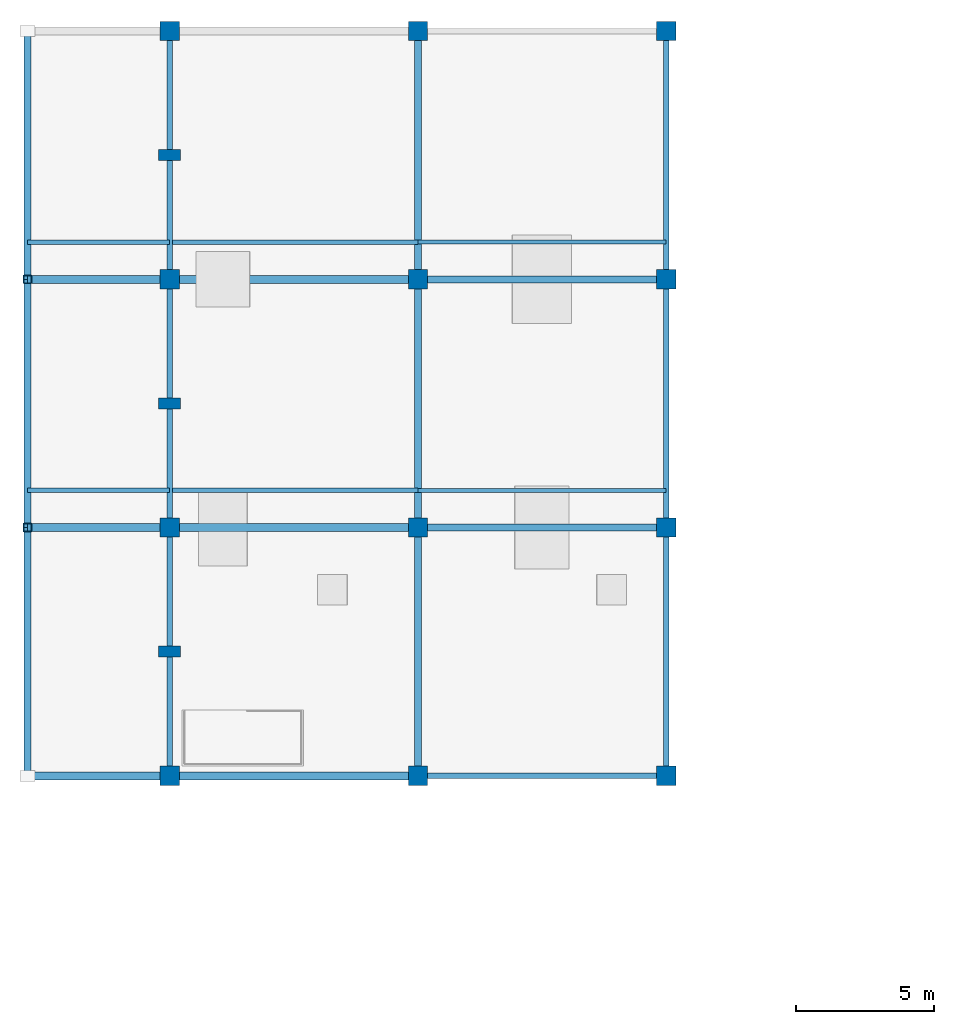
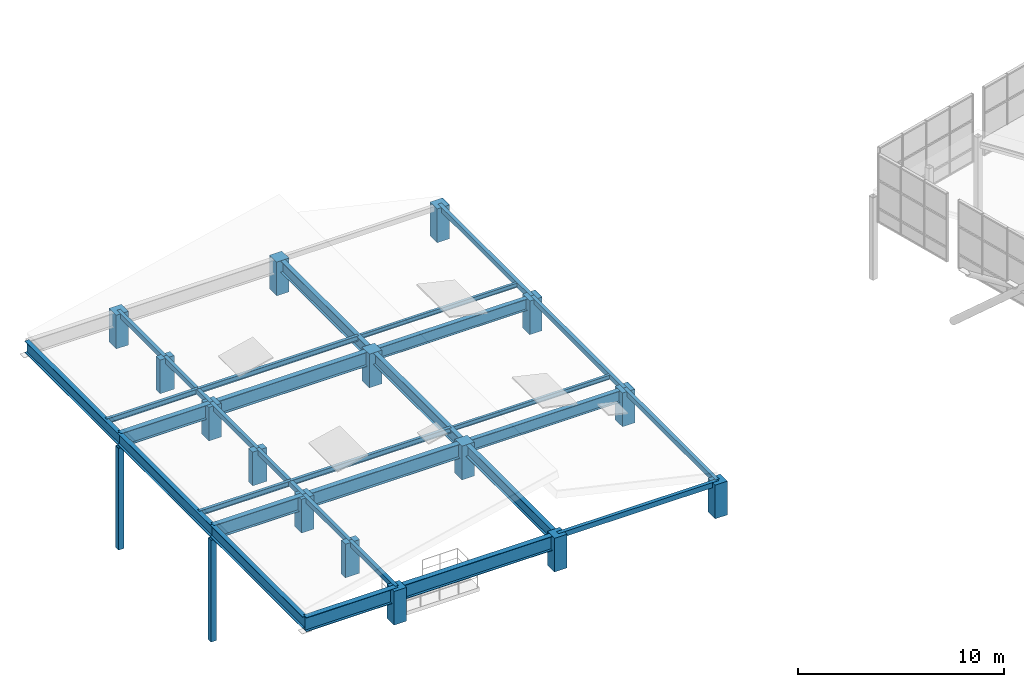
# One storey, part 1 of 28: 24 beams, 15 columns, 8 members.
"""IFC4 building model written with IfcOpenShell, lengths in metres."""

from ifc_helpers import new_model, si_unit, direction, frame, origin, origin_2d, place, context, subcontext, project, spatial, rectangle, hollow_rectangle, i_section, extrude, material, material_profile, profile_set, type_object, element, save


model = new_model("IFC4")

# Units and contexts
model_context = context("Model", 3, precision=1e-05, world=origin(), true_north=direction((0.0, 1.0)))
body_context = subcontext(model_context, "Body", "Model", "MODEL_VIEW")
ifc_project = project(units=[si_unit("LENGTHUNIT", "METRE"), si_unit("AREAUNIT", "SQUARE_METRE"), si_unit("VOLUMEUNIT", "CUBIC_METRE"), si_unit("PLANEANGLEUNIT", "RADIAN"), si_unit("MASSUNIT", "GRAM", prefix="KILO")], contexts=[model_context])

# Site, building, storey
site_placement = place(None, origin())
site = spatial("IfcSite", under=ifc_project, at=site_placement, CompositionType="ELEMENT")
building_placement = place(site_placement, origin())
building = spatial("IfcBuilding", under=site, at=building_placement, Name="Ventoquebrada Cableway Terminal", CompositionType="ELEMENT")
storey_placement = place(building_placement, frame((0.0, 0.0, 23.39990234375)))
storey = spatial("IfcBuildingStorey", under=building, at=storey_placement, Name="RF", CompositionType="ELEMENT", Elevation=23.39990234375)

# Columns
ifc_material_1 = material(Name="Concrete C40/50", Category="concrete")
ifc_material_profile_1 = material_profile(ifc_material_1, rectangle(XDim=0.699951171875, YDim=0.699951171875, at=origin_2d()), Name="RC-COL-700X700")
ifc_profile_set_1 = profile_set([ifc_material_profile_1], Name="Concrete C40/50")
column_type_1 = type_object("IfcColumnType", Name="COL-RC04", PredefinedType="COLUMN", material=ifc_profile_set_1)
for number, where, z_axis, x_axis, name in (
    (1, (8.199951171875, 77.0, 0.0), (0.0, 0.0, 1.0), (1.0, 0.0, 0.0), "Structural column FC-0187"),
    (2, (8.199951171875, 86.0, 0.0), (0.0, 0.0, 1.0), (1.0, 0.0, 0.0), "Structural column FC-0194"),
    (3, (8.199951171875, 95.0, 0.0), (0.0, 0.0, 1.0), (1.0, 0.0, 0.0), "Structural column FC-0201"),
    (4, (8.199951171875, 104.0, 0.0), (0.0, 0.0, 1.0), (1.0, 0.0, 0.0), "Structural column FC-0208"),
    (5, (17.199951171875, 77.0, 0.0), (0.0, 0.0, 1.0), (1.0, 0.0, 0.0), "Structural column FC-0227"),
    (6, (17.199951171875, 86.0, 0.0), (0.0, 0.0, 1.0), (1.0, 0.0, 0.0), "Structural column FC-0234"),
    (7, (17.199951171875, 95.0, 0.0), (0.0, 0.0, 1.0), (1.0, 0.0, 0.0), "Structural column FC-0241"),
    (8, (17.199951171875, 104.0, 0.0), (0.0, 0.0, 1.0), (1.0, 0.0, 0.0), "Structural column FC-0248"),
    (9, (26.199951171875, 77.0, 0.0), (0.0, 0.0, 1.0), (1.0, 0.0, 0.0), "Structural column FC-0267"),
    (10, (26.199951171875, 86.0, 0.0), (0.0, 0.0, 1.0), (1.0, 0.0, 0.0), "Structural column FC-0274"),
    (11, (26.199951171875, 95.0, 0.0), (0.0, 0.0, 1.0), (1.0, 0.0, 0.0), "Structural column FC-0281"),
    (12, (26.199951171875, 104.0, 0.0), (0.0, 0.0, 1.0), (1.0, 0.0, 0.0), "Structural column FC-0288"),
):
    element("IfcColumn", number, at=place(storey_placement, frame(where, z_axis=z_axis, x_axis=x_axis)), inside=storey, type_object=column_type_1, Name=name, PredefinedType="COLUMN", context=body_context, shape_type="SweptSolid", body=[
        extrude(rectangle(XDim=0.699951171875, YDim=0.699951171875, at=origin_2d()), origin(), (0.0, 0.0, 1.0), 2.0),
    ])
ifc_material_profile_2 = material_profile(ifc_material_1, rectangle(XDim=0.39990234375, YDim=0.800048828125, at=origin_2d()), Name="RC-PIL-400X800")
ifc_profile_set_2 = profile_set([ifc_material_profile_2], Name="Concrete C40/50")
column_type_2 = type_object("IfcColumnType", Name="PIL-RC01", PredefinedType="PILASTER", material=ifc_profile_set_2)
for number, where, z_axis, x_axis, name in (
    (13, (8.199951171875, 81.5, 0.0), (0.0, 0.0, 1.0), (0.0, 1.0, 0.0), "Facade pilaster FPL-0360"),
    (14, (8.199951171875, 90.5, 0.0), (0.0, 0.0, 1.0), (0.0, 1.0, 0.0), "Facade pilaster FPL-0367"),
    (15, (8.199951171875, 99.5, 0.0), (0.0, 0.0, 1.0), (0.0, 1.0, 0.0), "Facade pilaster FPL-0374"),
):
    element("IfcColumn", number, at=place(storey_placement, frame(where, z_axis=z_axis, x_axis=x_axis)), inside=storey, type_object=column_type_2, Name=name, PredefinedType="PILASTER", context=body_context, shape_type="SweptSolid", body=[
        extrude(rectangle(XDim=0.39990234375, YDim=0.800048828125, at=origin_2d()), origin(), (0.0, 0.0, 1.0), 2.0),
    ])

# Beams
ifc_material_2 = material(Name="Steel ASTM A992 Grade 50", Category="steel")
ifc_material_profile_3 = material_profile(ifc_material_2, i_section(OverallWidth=0.25390625, OverallDepth=0.68798828125, WebThickness=0.01318359375, FlangeThickness=0.02099609375, at=origin_2d()), Name="W27X102")
ifc_profile_set_3 = profile_set([ifc_material_profile_3], Name="Steel ASTM A992 Grade 50")
beam_type_1 = type_object("IfcBeamType", Name="BM-ST04", PredefinedType="BEAM", material=ifc_profile_set_3)
for number, where, z_axis, x_axis, name in (
    (16, (17.199951171875, 86.0, 1.656005859375), (1.0, 0.0, 0.0), (0.0, 1.0, 0.0), "Roof frame girder FBM-0888"),
    (17, (17.199951171875, 95.0, 1.656005859375), (1.0, 0.0, 0.0), (0.0, 1.0, 0.0), "Roof frame girder FBM-0890"),
    (18, (17.199951171875, 77.0, 1.656005859375), (0.0, 1.0, 0.0), (-1.0, 0.0, 0.0), "Roof frame girder FBM-0899"),
    (19, (17.199951171875, 86.0, 1.656005859375), (0.0, 1.0, 0.0), (-1.0, 0.0, 0.0), "Roof frame girder FBM-0900"),
    (20, (17.199951171875, 95.0, 1.656005859375), (0.0, 1.0, 0.0), (-1.0, 0.0, 0.0), "Roof frame girder FBM-0901"),
    (21, (3.050048828125, 77.0, 1.656005859375), (0.0, 1.0, 0.0), (-1.0, 0.0, 0.0), "Cantilever edge girder CB-023"),
    (22, (3.050048828125, 86.0, 1.656005859375), (0.0, 1.0, 0.0), (-1.0, 0.0, 0.0), "Cantilever edge girder CB-024"),
    (23, (3.050048828125, 95.0, 1.656005859375), (0.0, 1.0, 0.0), (-1.0, 0.0, 0.0), "Cantilever edge girder CB-025"),
):
    element("IfcBeam", number, at=place(storey_placement, frame(where, z_axis=z_axis, x_axis=x_axis)), inside=storey, type_object=beam_type_1, Name=name, PredefinedType="BEAM", context=body_context, shape_type="SweptSolid", body=[
        extrude(i_section(OverallWidth=0.25390625, OverallDepth=0.68798828125, WebThickness=0.01318359375, FlangeThickness=0.02099609375, at=origin_2d()), origin(), (0.0, 0.0, 1.0), 9.0),
    ])
ifc_material_profile_4 = material_profile(ifc_material_2, i_section(OverallWidth=0.2919921875, OverallDepth=0.845947265625, WebThickness=0.015380859375, FlangeThickness=0.0244140625, at=origin_2d()), Name="W33X141")
ifc_profile_set_4 = profile_set([ifc_material_profile_4], Name="Steel ASTM A992 Grade 50")
beam_type_2 = type_object("IfcBeamType", Name="BM-ST06", PredefinedType="BEAM", material=ifc_profile_set_4)
for number, where, z_axis, x_axis, name in (
    (24, (8.199951171875, 77.0, 1.5771484375), (1.0, 0.0, 0.0), (0.0, 1.0, 0.0), "Roof frame girder FBM-0885"),
    (25, (8.199951171875, 86.0, 1.5771484375), (1.0, 0.0, 0.0), (0.0, 1.0, 0.0), "Roof frame girder FBM-0887"),
    (26, (8.199951171875, 95.0, 1.5771484375), (1.0, 0.0, 0.0), (0.0, 1.0, 0.0), "Roof frame girder FBM-0889"),
):
    element("IfcBeam", number, at=place(storey_placement, frame(where, z_axis=z_axis, x_axis=x_axis)), inside=storey, type_object=beam_type_2, Name=name, PredefinedType="BEAM", context=body_context, shape_type="SweptSolid", body=[
        extrude(i_section(OverallWidth=0.2919921875, OverallDepth=0.845947265625, WebThickness=0.015380859375, FlangeThickness=0.0244140625, at=origin_2d()), origin(), (0.0, 0.0, 1.0), 9.0),
    ])
for number, where, z_axis, x_axis, name in (
    (27, (3.050048828125, 77.0, 1.5771484375), (1.0, 0.0, 0.0), (0.0, 1.0, 0.0), "Cantilever belvedere girder CB-019"),
    (28, (3.050048828125, 86.0, 1.5771484375), (1.0, 0.0, 0.0), (0.0, 1.0, 0.0), "Cantilever belvedere girder CB-020"),
    (29, (3.050048828125, 95.0, 1.5771484375), (1.0, 0.0, 0.0), (0.0, 1.0, 0.0), "Cantilever belvedere girder CB-021"),
):
    element("IfcBeam", number, at=place(storey_placement, frame(where, z_axis=z_axis, x_axis=x_axis)), inside=storey, type_object=beam_type_2, Name=name, PredefinedType="BEAM", context=body_context, shape_type="SweptSolid", body=[
        extrude(i_section(OverallWidth=0.2919921875, OverallDepth=0.845947265625, WebThickness=0.015380859375, FlangeThickness=0.0244140625, at=origin_2d()), origin(), (0.0, 0.0, 1.0), 5.14990234375),
    ])

# Members
ifc_material_3 = material(Name="Steel ASTM A500 Grade C", Category="steel")
ifc_material_profile_5 = material_profile(ifc_material_3, hollow_rectangle(XDim=0.300048828125, YDim=0.300048828125, WallThickness=0.01611328125, at=origin_2d()), Name="HSS300X300X16")
ifc_profile_set_5 = profile_set([ifc_material_profile_5], Name="Steel ASTM A500 Grade C")
member_type_1 = type_object("IfcMemberType", Name="PST-GS01", PredefinedType="STRUT", material=ifc_profile_set_5)
for number, where, z_axis, x_axis, name in (
    (30, (3.050048828125, 86.0, -4.85498046875), (0.0, 0.0, 1.0), (1.0, 0.0, 0.0), "Belvedere facade support post FPS-004"),
    (31, (3.050048828125, 95.0, -4.85498046875), (0.0, 0.0, 1.0), (1.0, 0.0, 0.0), "Belvedere facade support post FPS-005"),
):
    element("IfcMember", number, at=place(storey_placement, frame(where, z_axis=z_axis, x_axis=x_axis)), inside=storey, type_object=member_type_1, Name=name, PredefinedType="STRUT", context=body_context, shape_type="SweptSolid", body=[
        extrude(hollow_rectangle(XDim=0.300048828125, YDim=0.300048828125, WallThickness=0.01611328125, at=origin_2d()), origin(), (0.0, 0.0, 1.0), 6.029052734375),
    ])
ifc_material_profile_6 = material_profile(ifc_material_2, i_section(OverallWidth=0.14599609375, OverallDepth=0.259033203125, WebThickness=0.006103515625, FlangeThickness=0.009033203125, at=origin_2d()), Name="W10X22")
ifc_profile_set_6 = profile_set([ifc_material_profile_6], Name="Steel ASTM A992 Grade 50")
member_type_2 = type_object("IfcMemberType", Name="PUR-RF04", PredefinedType="PURLIN", material=ifc_profile_set_6)
for number, where, z_axis, x_axis, name in (
    (32, (17.199951171875, 87.35009765625, 1.8701171875), (1.0, 0.0, 0.0), (0.0, 1.0, 0.0), "Roof support purlin RPR-0485"),
    (33, (17.199951171875, 96.35009765625, 1.8701171875), (1.0, 0.0, 0.0), (0.0, 1.0, 0.0), "Roof support purlin RPR-0486"),
):
    element("IfcMember", number, at=place(storey_placement, frame(where, z_axis=z_axis, x_axis=x_axis)), inside=storey, type_object=member_type_2, Name=name, PredefinedType="PURLIN", context=body_context, shape_type="SweptSolid", body=[
        extrude(i_section(OverallWidth=0.14599609375, OverallDepth=0.259033203125, WebThickness=0.006103515625, FlangeThickness=0.009033203125, at=origin_2d()), origin(), (0.0, 0.0, 1.0), 9.0),
    ])
ifc_material_profile_7 = material_profile(ifc_material_2, i_section(OverallWidth=0.1650390625, OverallDepth=0.31005859375, WebThickness=0.005859375, FlangeThickness=0.009765625, at=origin_2d()), Name="W12X26")
ifc_profile_set_7 = profile_set([ifc_material_profile_7], Name="Steel ASTM A992 Grade 50")
member_type_3 = type_object("IfcMemberType", Name="PUR-RF05", PredefinedType="PURLIN", material=ifc_profile_set_7)
member_1_placement = place(storey_placement, frame((3.050048828125, 87.35009765625, 1.84521484375), z_axis=(1.0, 0.0, 0.0), x_axis=(0.0, 1.0, 0.0)))
element("IfcMember", 34, at=member_1_placement, inside=storey, type_object=member_type_3, Name="Roof support purlin RPR-0481", PredefinedType="PURLIN", context=body_context, shape_type="SweptSolid", body=[
    extrude(i_section(OverallWidth=0.1650390625, OverallDepth=0.31005859375, WebThickness=0.005859375, FlangeThickness=0.009765625, at=origin_2d()), origin(), (0.0, 0.0, 1.0), 5.14990234375),
])
member_2_placement = place(storey_placement, frame((8.199951171875, 87.35009765625, 1.84521484375), z_axis=(1.0, 0.0, 0.0), x_axis=(0.0, 1.0, 0.0)))
element("IfcMember", 35, at=member_2_placement, inside=storey, type_object=member_type_3, Name="Roof support purlin RPR-0482", PredefinedType="PURLIN", context=body_context, shape_type="SweptSolid", body=[
    extrude(i_section(OverallWidth=0.1650390625, OverallDepth=0.31005859375, WebThickness=0.005859375, FlangeThickness=0.009765625, at=origin_2d()), origin(), (0.0, 0.0, 1.0), 9.0),
])
member_3_placement = place(storey_placement, frame((3.050048828125, 96.35009765625, 1.84521484375), z_axis=(1.0, 0.0, 0.0), x_axis=(0.0, 1.0, 0.0)))
element("IfcMember", 36, at=member_3_placement, inside=storey, type_object=member_type_3, Name="Roof support purlin RPR-0483", PredefinedType="PURLIN", context=body_context, shape_type="SweptSolid", body=[
    extrude(i_section(OverallWidth=0.1650390625, OverallDepth=0.31005859375, WebThickness=0.005859375, FlangeThickness=0.009765625, at=origin_2d()), origin(), (0.0, 0.0, 1.0), 5.14990234375),
])
member_4_placement = place(storey_placement, frame((8.199951171875, 96.35009765625, 1.84521484375), z_axis=(1.0, 0.0, 0.0), x_axis=(0.0, 1.0, 0.0)))
element("IfcMember", 37, at=member_4_placement, inside=storey, type_object=member_type_3, Name="Roof support purlin RPR-0484", PredefinedType="PURLIN", context=body_context, shape_type="SweptSolid", body=[
    extrude(i_section(OverallWidth=0.1650390625, OverallDepth=0.31005859375, WebThickness=0.005859375, FlangeThickness=0.009765625, at=origin_2d()), origin(), (0.0, 0.0, 1.0), 9.0),
])

# Beams
ifc_material_profile_8 = material_profile(ifc_material_3, hollow_rectangle(XDim=0.199951171875, YDim=0.300048828125, WallThickness=0.012451171875, at=origin_2d()), Name="RHS300X200X12.5")
ifc_profile_set_8 = profile_set([ifc_material_profile_8], Name="Steel ASTM A500 Grade C")
beam_type_3 = type_object("IfcBeamType", Name="SP-ST02", PredefinedType="SPANDREL", material=ifc_profile_set_8)
beam_placement = place(storey_placement, frame((17.199951171875, 77.0, 1.85009765625), z_axis=(1.0, 0.0, 0.0), x_axis=(0.0, 1.0, 0.0)))
element("IfcBeam", 38, at=beam_placement, inside=storey, type_object=beam_type_3, Name="Roof frame girder FBM-0886", PredefinedType="SPANDREL", context=body_context, shape_type="SweptSolid", body=[
    extrude(hollow_rectangle(XDim=0.199951171875, YDim=0.300048828125, WallThickness=0.012451171875, at=origin_2d()), origin(), (0.0, 0.0, 1.0), 9.0),
])
for number, where, z_axis, x_axis, name in (
    (39, (8.199951171875, 77.0, 1.85009765625), (0.0, 1.0, 0.0), (-1.0, 0.0, 0.0), "Roof frame girder FBM-0893"),
    (40, (8.199951171875, 81.5, 1.85009765625), (0.0, 1.0, 0.0), (-1.0, 0.0, 0.0), "Roof frame girder FBM-0894"),
    (41, (8.199951171875, 86.0, 1.85009765625), (0.0, 1.0, 0.0), (-1.0, 0.0, 0.0), "Roof frame girder FBM-0895"),
    (42, (8.199951171875, 90.5, 1.85009765625), (0.0, 1.0, 0.0), (-1.0, 0.0, 0.0), "Roof frame girder FBM-0896"),
    (43, (8.199951171875, 95.0, 1.85009765625), (0.0, 1.0, 0.0), (-1.0, 0.0, 0.0), "Roof frame girder FBM-0897"),
    (44, (8.199951171875, 99.5, 1.85009765625), (0.0, 1.0, 0.0), (-1.0, 0.0, 0.0), "Roof frame girder FBM-0898"),
):
    element("IfcBeam", number, at=place(storey_placement, frame(where, z_axis=z_axis, x_axis=x_axis)), inside=storey, type_object=beam_type_3, Name=name, PredefinedType="SPANDREL", context=body_context, shape_type="SweptSolid", body=[
        extrude(hollow_rectangle(XDim=0.199951171875, YDim=0.300048828125, WallThickness=0.012451171875, at=origin_2d()), origin(), (0.0, 0.0, 1.0), 4.5),
    ])
for number, where, z_axis, x_axis, name in (
    (45, (26.199951171875, 77.0, 1.85009765625), (0.0, 1.0, 0.0), (-1.0, 0.0, 0.0), "Roof frame girder FBM-0902"),
    (46, (26.199951171875, 86.0, 1.85009765625), (0.0, 1.0, 0.0), (-1.0, 0.0, 0.0), "Roof frame girder FBM-0903"),
    (47, (26.199951171875, 95.0, 1.85009765625), (0.0, 1.0, 0.0), (-1.0, 0.0, 0.0), "Roof frame girder FBM-0904"),
):
    element("IfcBeam", number, at=place(storey_placement, frame(where, z_axis=z_axis, x_axis=x_axis)), inside=storey, type_object=beam_type_3, Name=name, PredefinedType="SPANDREL", context=body_context, shape_type="SweptSolid", body=[
        extrude(hollow_rectangle(XDim=0.199951171875, YDim=0.300048828125, WallThickness=0.012451171875, at=origin_2d()), origin(), (0.0, 0.0, 1.0), 9.0),
    ])

save(model, "model.ifc")
